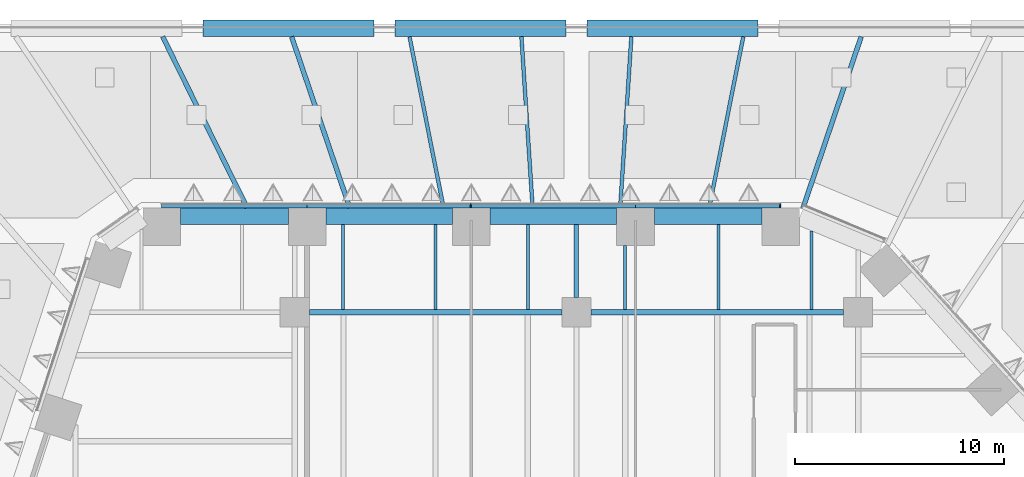
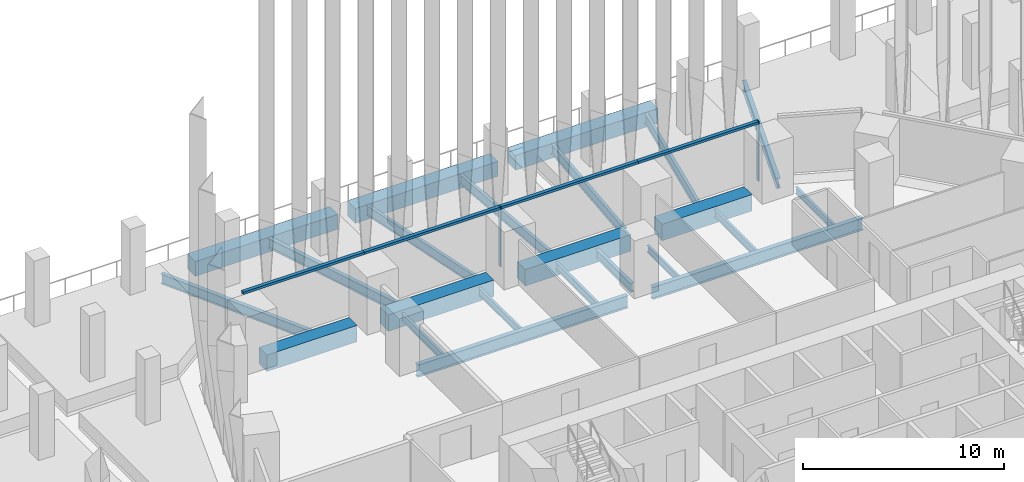
# One storey, part 19 of 51: 23 beams, 6 members, 1 element without a shape of its own.
"""IFC4 building model written with IfcOpenShell, lengths in metres."""

from ifc_helpers import new_model, si_unit, direction, frame, origin, origin_2d, place, context, subcontext, project, spatial, rectangle, i_section, extrude, material, layer, layer_set, material_profile, profile_set, type_object, element, aggregate, save


model = new_model("IFC4")

# Units and contexts
model_context = context("Model", 3, precision=1e-05, world=origin(), true_north=direction((0.0, 1.0)))
body_context = subcontext(model_context, "Body", "Model", "MODEL_VIEW")
ifc_project = project(units=[si_unit("LENGTHUNIT", "METRE"), si_unit("AREAUNIT", "SQUARE_METRE"), si_unit("VOLUMEUNIT", "CUBIC_METRE"), si_unit("PLANEANGLEUNIT", "RADIAN"), si_unit("MASSUNIT", "GRAM", prefix="KILO")], contexts=[model_context])

# Site, building, storey
site_placement = place(None, origin())
site = spatial("IfcSite", under=ifc_project, at=site_placement, CompositionType="ELEMENT")
building_placement = place(site_placement, origin())
building = spatial("IfcBuilding", under=site, at=building_placement, Name="Isthmus Gate Tower", CompositionType="ELEMENT")
storey_placement = place(building_placement, frame((0.0, 0.0, 36.0)))
storey = spatial("IfcBuildingStorey", under=building, at=storey_placement, Name="L06", CompositionType="ELEMENT", Elevation=36.0)

# Curtain wall, members
ifc_material_1 = material(Name="Aluminium, pale champagne anodised", Category="aluminium")
ifc_layer = layer(ifc_material_1, 0.199951171875)
ifc_layer_set = layer_set([ifc_layer], Name="CW-1 UNITISED CURTAIN WALL 200 DEEP")
curtain_wall_type = type_object("IfcCurtainWallType", Name="CW-1 UNITISED CURTAIN WALL 200 DEEP", PredefinedType="NOTDEFINED", material=ifc_layer_set)
curtain_wall_placement = place(storey_placement, origin())
curtain_wall = element("IfcCurtainWall", 1, at=curtain_wall_placement, inside=storey, type_object=curtain_wall_type, Name="CW-1 N L06", PredefinedType="NOTDEFINED")
ifc_material_2 = material(Name="Aluminium, pale champagne anodised", Category="aluminium")
ifc_material_profile_1 = material_profile(ifc_material_2, rectangle(XDim=0.06005859375, YDim=0.199951171875, at=origin_2d()), Name="60x200")
ifc_profile_set_1 = profile_set([ifc_material_profile_1], Name="Aluminium, pale champagne anodised")
member_type_1 = type_object("IfcMemberType", Name="CW-1 MULLION 60 X 200", PredefinedType="MULLION", material=ifc_profile_set_1)
member_1_placement = place(storey_placement, frame((9.77197265625, 32.10009765625, 0.0), z_axis=(0.0, 0.0, 1.0), x_axis=(-1.0, 0.0, 0.0)))
member_1 = element("IfcMember", 2, at=member_1_placement, type_object=member_type_1, Name="CW-1 mullion", PredefinedType="MULLION", context=body_context, shape_type="SweptSolid", body=[
    extrude(rectangle(XDim=0.06005859375, YDim=0.199951171875, at=origin_2d()), origin(), (0.0, 0.0, 1.0), 3.64990234375),
])
member_2_placement = place(storey_placement, frame((-5.067138671875, 32.10009765625, 0.0), z_axis=(0.0, 0.0, 1.0), x_axis=(-1.0, 0.0, 0.0)))
member_2 = element("IfcMember", 3, at=member_2_placement, type_object=member_type_1, Name="CW-1 mullion", PredefinedType="MULLION", context=body_context, shape_type="SweptSolid", body=[
    extrude(rectangle(XDim=0.06005859375, YDim=0.199951171875, at=origin_2d()), origin(), (0.0, 0.0, 1.0), 3.64990234375),
])
ifc_material_3 = material(Name="Aluminium, pale champagne anodised", Category="aluminium")
ifc_material_profile_2 = material_profile(ifc_material_3, rectangle(XDim=0.199951171875, YDim=0.14990234375, at=origin_2d()), Name="200x150")
ifc_profile_set_2 = profile_set([ifc_material_profile_2], Name="Aluminium, pale champagne anodised")
member_type_2 = type_object("IfcMemberType", Name="CW-1 TRANSOM 200 X 150", PredefinedType="USERDEFINED", material=ifc_profile_set_2)
member_3_placement = place(storey_placement, frame((9.741943359375, 32.10009765625, 3.574951171875), z_axis=(-1.0, 0.0, 0.0), x_axis=(0.0, -1.0, 0.0)))
member_3 = element("IfcMember", 4, at=member_3_placement, type_object=member_type_2, Name="CW-1 transom", ObjectType="TRANSOM", PredefinedType="USERDEFINED", context=body_context, shape_type="SweptSolid", body=[
    extrude(rectangle(XDim=0.199951171875, YDim=0.14990234375, at=origin_2d()), origin(), (0.0, 0.0, 1.0), 6.90966796875),
])
member_4_placement = place(storey_placement, frame((2.832275390625, 32.10009765625, 3.574951171875), z_axis=(-1.0, 0.0, 0.0), x_axis=(0.0, -1.0, 0.0)))
member_4 = element("IfcMember", 5, at=member_4_placement, type_object=member_type_2, Name="CW-1 transom", ObjectType="TRANSOM", PredefinedType="USERDEFINED", context=body_context, shape_type="SweptSolid", body=[
    extrude(rectangle(XDim=0.199951171875, YDim=0.14990234375, at=origin_2d()), origin(), (0.0, 0.0, 1.0), 7.869384765625),
])
member_5_placement = place(storey_placement, frame((-5.09716796875, 32.10009765625, 3.574951171875), z_axis=(-1.0, 0.0, 0.0), x_axis=(0.0, -1.0, 0.0)))
member_5 = element("IfcMember", 6, at=member_5_placement, type_object=member_type_2, Name="CW-1 transom", ObjectType="TRANSOM", PredefinedType="USERDEFINED", context=body_context, shape_type="SweptSolid", body=[
    extrude(rectangle(XDim=0.199951171875, YDim=0.14990234375, at=origin_2d()), origin(), (0.0, 0.0, 1.0), 7.8095703125),
])
member_6_placement = place(storey_placement, frame((-12.90673828125, 32.10009765625, 3.574951171875), z_axis=(-1.0, 0.0, 0.0), x_axis=(0.0, -1.0, 0.0)))
member_6 = element("IfcMember", 7, at=member_6_placement, type_object=member_type_2, Name="CW-1 transom", ObjectType="TRANSOM", PredefinedType="USERDEFINED", context=body_context, shape_type="SweptSolid", body=[
    extrude(rectangle(XDim=0.199951171875, YDim=0.14990234375, at=origin_2d()), origin(), (0.0, 0.0, 1.0), 6.969482421875),
])
aggregate(curtain_wall, [member_1, member_3, member_4, member_2, member_5, member_6])

# Beams
ifc_material_4 = material(Name="Concrete f'c 70 MPa", Category="concrete")
ifc_material_profile_3 = material_profile(ifc_material_4, rectangle(XDim=0.800048828125, YDim=0.89990234375, at=origin_2d()), Name="RC 800X900")
ifc_profile_set_3 = profile_set([ifc_material_profile_3], Name="Concrete f'c 70 MPa")
beam_type_1 = type_object("IfcBeamType", Name="RC EDGE BEAM 800 X 900", PredefinedType="BEAM", material=ifc_profile_set_3)
for number, where, z_axis, x_axis, name in (
    (8, (-17.89990234375, 40.60009765625, -0.60009765625), (1.0, 0.0, 0.0), (0.0, 1.0, 0.0), "str-edgebeam-L06-12"),
    (9, (-8.699951171875, 40.60009765625, -0.60009765625), (1.0, 0.0, 0.0), (0.0, 1.0, 0.0), "str-edgebeam-L06-13"),
    (10, (0.5, 40.60009765625, -0.60009765625), (1.0, 0.0, 0.0), (0.0, 1.0, 0.0), "str-edgebeam-L06-14"),
):
    element("IfcBeam", number, at=place(storey_placement, frame(where, z_axis=z_axis, x_axis=x_axis)), inside=storey, type_object=beam_type_1, Name=name, PredefinedType="BEAM", context=body_context, shape_type="SweptSolid", body=[
        extrude(rectangle(XDim=0.800048828125, YDim=0.89990234375, at=origin_2d()), origin(), (0.0, 0.0, 1.0), 8.199951171875),
    ])
ifc_material_5 = material(Name="Concrete f'c 70 MPa", Category="concrete")
ifc_material_profile_4 = material_profile(ifc_material_5, rectangle(XDim=0.800048828125, YDim=1.0, at=origin_2d()), Name="RC 800X1000")
ifc_profile_set_4 = profile_set([ifc_material_profile_4], Name="Concrete f'c 70 MPa")
beam_type_2 = type_object("IfcBeamType", Name="RC SPANDREL 800 X 1000", PredefinedType="SPANDREL", material=ifc_profile_set_4)
beam_1_placement = place(storey_placement, frame((-18.976318359375, 31.60009765625, -0.5), z_axis=(1.0, 0.0, 0.0), x_axis=(0.0, 1.0, 0.0)))
element("IfcBeam", 11, at=beam_1_placement, inside=storey, type_object=beam_type_2, Name="str-spandrel-L06-23", PredefinedType="SPANDREL", context=body_context, shape_type="SweptSolid", body=[
    extrude(rectangle(XDim=0.800048828125, YDim=1.0, at=origin_2d()), origin(), (0.0, 0.0, 1.0), 5.169677734375),
])
beam_2_placement = place(storey_placement, frame((-12.006591796875, 31.60009765625, -0.5), z_axis=(1.0, 0.0, 0.0), x_axis=(0.0, 1.0, 0.0)))
element("IfcBeam", 12, at=beam_2_placement, inside=storey, type_object=beam_type_2, Name="str-spandrel-L06-24", PredefinedType="SPANDREL", context=body_context, shape_type="SweptSolid", body=[
    extrude(rectangle(XDim=0.800048828125, YDim=1.0, at=origin_2d()), origin(), (0.0, 0.0, 1.0), 6.0693359375),
])
beam_3_placement = place(storey_placement, frame((-4.13720703125, 31.60009765625, -0.5), z_axis=(1.0, 0.0, 0.0), x_axis=(0.0, 1.0, 0.0)))
element("IfcBeam", 13, at=beam_3_placement, inside=storey, type_object=beam_type_2, Name="str-spandrel-L06-25", PredefinedType="SPANDREL", context=body_context, shape_type="SweptSolid", body=[
    extrude(rectangle(XDim=0.800048828125, YDim=1.0, at=origin_2d()), origin(), (0.0, 0.0, 1.0), 6.069580078125),
])
beam_4_placement = place(storey_placement, frame((3.732421875, 31.60009765625, -0.5), z_axis=(1.0, 0.0, 0.0), x_axis=(0.0, 1.0, 0.0)))
element("IfcBeam", 14, at=beam_4_placement, inside=storey, type_object=beam_type_2, Name="str-spandrel-L06-26", PredefinedType="SPANDREL", context=body_context, shape_type="SweptSolid", body=[
    extrude(rectangle(XDim=0.800048828125, YDim=1.0, at=origin_2d()), origin(), (0.0, 0.0, 1.0), 5.16943359375),
])
ifc_material_6 = material(Name="Structural steel ASTM A992 Gr 50", Category="steel")
ifc_material_profile_5 = material_profile(ifc_material_6, i_section(OverallWidth=0.1396484375, OverallDepth=0.4033203125, WebThickness=0.00634765625, FlangeThickness=0.010986328125, at=origin_2d()), Name="W16X31")
ifc_profile_set_5 = profile_set([ifc_material_profile_5], Name="Structural steel ASTM A992 Gr 50")
beam_type_3 = type_object("IfcBeamType", Name="STEEL FLOOR BEAM W16X31", PredefinedType="JOIST", material=ifc_profile_set_5)
beam_5_placement = place(storey_placement, frame((2.33740234375, 27.1318359375, -0.3515625), z_axis=(0.0, 1.0, 0.0), x_axis=(-1.0, 0.0, 0.0)))
element("IfcBeam", 15, at=beam_5_placement, inside=storey, type_object=beam_type_3, Name="str-beam-L06-19-00", PredefinedType="JOIST", context=body_context, shape_type="SweptSolid", body=[
    extrude(i_section(OverallWidth=0.1396484375, OverallDepth=0.4033203125, WebThickness=0.00634765625, FlangeThickness=0.010986328125, at=origin_2d()), origin(), (0.0, 0.0, 1.0), 3.068115234375),
])
beam_6_placement = place(storey_placement, frame((11.267578125, 27.1318359375, -0.3515625), z_axis=(0.0, 1.0, 0.0), x_axis=(-1.0, 0.0, 0.0)))
element("IfcBeam", 16, at=beam_6_placement, inside=storey, type_object=beam_type_3, Name="str-beam-L06-19-02", PredefinedType="JOIST", context=body_context, shape_type="SweptSolid", body=[
    extrude(i_section(OverallWidth=0.1396484375, OverallDepth=0.4033203125, WebThickness=0.00634765625, FlangeThickness=0.010986328125, at=origin_2d()), origin(), (0.0, 0.0, 1.0), 3.7666015625),
])
ifc_material_7 = material(Name="Structural steel ASTM A992 Gr 50", Category="steel")
ifc_material_profile_6 = material_profile(ifc_material_7, i_section(OverallWidth=0.15234375, OverallDepth=0.45068359375, WebThickness=0.0078125, FlangeThickness=0.010986328125, at=origin_2d()), Name="W18X35")
ifc_profile_set_6 = profile_set([ifc_material_profile_6], Name="Structural steel ASTM A992 Gr 50")
beam_type_4 = type_object("IfcBeamType", Name="STEEL FLOOR BEAM W18X35", PredefinedType="JOIST", material=ifc_profile_set_6)
for number, where, z_axis, x_axis, name in (
    (17, (-11.18017578125, 27.1318359375, -0.37548828125), (0.0, 1.0, 0.0), (-1.0, 0.0, 0.0), "str-beam-L06-14-00"),
    (18, (-6.75, 27.1318359375, -0.37548828125), (0.0, 1.0, 0.0), (-1.0, 0.0, 0.0), "str-beam-L06-14-01"),
    (19, (-2.31982421875, 27.1318359375, -0.37548828125), (0.0, 1.0, 0.0), (-1.0, 0.0, 0.0), "str-beam-L06-14-02"),
    (20, (6.802490234375, 27.1318359375, -0.37548828125), (0.0, 1.0, 0.0), (-1.0, 0.0, 0.0), "str-beam-L06-19-01"),
):
    element("IfcBeam", number, at=place(storey_placement, frame(where, z_axis=z_axis, x_axis=x_axis)), inside=storey, type_object=beam_type_4, Name=name, PredefinedType="JOIST", context=body_context, shape_type="SweptSolid", body=[
        extrude(i_section(OverallWidth=0.15234375, OverallDepth=0.45068359375, WebThickness=0.0078125, FlangeThickness=0.010986328125, at=origin_2d()), origin(), (0.0, 0.0, 1.0), 4.068115234375),
    ])
ifc_material_8 = material(Name="Structural steel ASTM A992 Gr 50", Category="steel")
ifc_material_profile_7 = material_profile(ifc_material_8, i_section(OverallWidth=0.20947265625, OverallDepth=0.533447265625, WebThickness=0.009521484375, FlangeThickness=0.015869140625, at=origin_2d()), Name="W21X62")
ifc_profile_set_7 = profile_set([ifc_material_profile_7], Name="Structural steel ASTM A992 Gr 50")
beam_type_5 = type_object("IfcBeamType", Name="STEEL GIRDER W21X62", PredefinedType="BEAM", material=ifc_profile_set_7)
beam_7_placement = place(storey_placement, frame((0.0, 27.699951171875, -0.416748046875), z_axis=(0.0, 1.0, 0.0), x_axis=(-1.0, 0.0, 0.0)))
element("IfcBeam", 21, at=beam_7_placement, inside=storey, type_object=beam_type_5, Name="str-girder-L06-30", PredefinedType="BEAM", context=body_context, shape_type="SweptSolid", body=[
    extrude(i_section(OverallWidth=0.20947265625, OverallDepth=0.533447265625, WebThickness=0.009521484375, FlangeThickness=0.015869140625, at=origin_2d()), origin(), (0.0, 0.0, 1.0), 3.5),
])
ifc_material_9 = material(Name="Structural steel ASTM A992 Gr 50", Category="steel")
ifc_material_profile_8 = material_profile(ifc_material_9, i_section(OverallWidth=0.263427734375, OverallDepth=0.749267578125, WebThickness=0.0126953125, FlangeThickness=0.015869140625, at=origin_2d()), Name="W30X90")
ifc_profile_set_8 = profile_set([ifc_material_profile_8], Name="Structural steel ASTM A992 Gr 50")
beam_type_6 = type_object("IfcBeamType", Name="STEEL GIRDER W30X90", PredefinedType="BEAM", material=ifc_profile_set_8)
for number, where, z_axis, x_axis, name in (
    (22, (-12.800048828125, 27.0, -0.524658203125), (1.0, 0.0, 0.0), (0.0, 1.0, 0.0), "str-girder-L06-17"),
    (23, (0.699951171875, 27.0, -0.524658203125), (1.0, 0.0, 0.0), (0.0, 1.0, 0.0), "str-girder-L06-18"),
):
    element("IfcBeam", number, at=place(storey_placement, frame(where, z_axis=z_axis, x_axis=x_axis)), inside=storey, type_object=beam_type_6, Name=name, PredefinedType="BEAM", context=body_context, shape_type="SweptSolid", body=[
        extrude(i_section(OverallWidth=0.263427734375, OverallDepth=0.749267578125, WebThickness=0.0126953125, FlangeThickness=0.015869140625, at=origin_2d()), origin(), (0.0, 0.0, 1.0), 12.10009765625),
    ])
ifc_material_10 = material(Name="Structural steel ASTM A992 Gr 50", Category="steel")
ifc_material_profile_9 = material_profile(ifc_material_10, i_section(OverallWidth=0.177734375, OverallDepth=0.60009765625, WebThickness=0.009521484375, FlangeThickness=0.0126953125, at=origin_2d()), Name="W24X55")
ifc_profile_set_9 = profile_set([ifc_material_profile_9], Name="Structural steel ASTM A992 Gr 50")
beam_type_7 = type_object("IfcBeamType", Name="STEEL LEDGE BEAM W24X55", PredefinedType="JOIST", material=ifc_profile_set_9)
beam_8_placement = place(storey_placement, frame((6.365234375, 32.0, -0.449951171875), z_axis=(0.195093982602, 0.98078455226, 0.0), x_axis=(-0.98078455226, 0.195093982602, 0.0)))
element("IfcBeam", 24, at=beam_8_placement, inside=storey, type_object=beam_type_7, Name="str-ringbeam-L06-00-10", PredefinedType="JOIST", context=body_context, shape_type="SweptSolid", body=[
    extrude(i_section(OverallWidth=0.177734375, OverallDepth=0.60009765625, WebThickness=0.009521484375, FlangeThickness=0.0126953125, at=origin_2d()), origin(), (0.0, 0.0, 1.0), 8.360595703125),
])
for number, where, z_axis, x_axis, name in (
    (25, (2.097412109375, 32.0, -0.449951171875), (0.06539105107, 0.99785971481, 0.0), (-0.99785971481, 0.06539105107, 0.0), "str-ringbeam-L06-00-11"),
    (26, (-2.097412109375, 32.0, -0.449951171875), (-0.06539105107, 0.99785971481, 0.0), (-0.99785971481, -0.06539105107, 0.0), "str-ringbeam-L06-00-12"),
):
    element("IfcBeam", number, at=place(storey_placement, frame(where, z_axis=z_axis, x_axis=x_axis)), inside=storey, type_object=beam_type_7, Name=name, PredefinedType="JOIST", context=body_context, shape_type="SweptSolid", body=[
        extrude(i_section(OverallWidth=0.177734375, OverallDepth=0.60009765625, WebThickness=0.009521484375, FlangeThickness=0.0126953125, at=origin_2d()), origin(), (0.0, 0.0, 1.0), 8.217529296875),
    ])
beam_9_placement = place(storey_placement, frame((-6.365234375, 32.0, -0.449951171875), z_axis=(-0.195093982602, 0.98078455226, 0.0), x_axis=(-0.98078455226, -0.195093982602, 0.0)))
element("IfcBeam", 27, at=beam_9_placement, inside=storey, type_object=beam_type_7, Name="str-ringbeam-L06-00-13", PredefinedType="JOIST", context=body_context, shape_type="SweptSolid", body=[
    extrude(i_section(OverallWidth=0.177734375, OverallDepth=0.60009765625, WebThickness=0.009521484375, FlangeThickness=0.0126953125, at=origin_2d()), origin(), (0.0, 0.0, 1.0), 8.360595703125),
])
ifc_material_11 = material(Name="Structural steel ASTM A992 Gr 50", Category="steel")
ifc_material_profile_10 = material_profile(ifc_material_11, i_section(OverallWidth=0.228515625, OverallDepth=0.603271484375, WebThickness=0.010986328125, FlangeThickness=0.014404296875, at=origin_2d()), Name="W24X68")
ifc_profile_set_10 = profile_set([ifc_material_profile_10], Name="Structural steel ASTM A992 Gr 50")
beam_type_8 = type_object("IfcBeamType", Name="STEEL LEDGE BEAM W24X68", PredefinedType="JOIST", material=ifc_profile_set_10)
beam_10_placement = place(storey_placement, frame((10.8427734375, 31.94140625, -0.45166015625), z_axis=(0.321421412152, 0.946936257522, 0.0), x_axis=(-0.946936257522, 0.321421412152, 0.0)))
element("IfcBeam", 28, at=beam_10_placement, inside=storey, type_object=beam_type_8, Name="str-ringbeam-L06-00-09", PredefinedType="JOIST", context=body_context, shape_type="SweptSolid", body=[
    extrude(i_section(OverallWidth=0.228515625, OverallDepth=0.603271484375, WebThickness=0.010986328125, FlangeThickness=0.014404296875, at=origin_2d()), origin(), (0.0, 0.0, 1.0), 8.721435546875),
])
beam_11_placement = place(storey_placement, frame((-10.862548828125, 32.0, -0.45166015625), z_axis=(-0.321433140336, 0.946932276509, 0.0), x_axis=(-0.946932276509, -0.321433140336, 0.0)))
element("IfcBeam", 29, at=beam_11_placement, inside=storey, type_object=beam_type_8, Name="str-ringbeam-L06-00-14", PredefinedType="JOIST", context=body_context, shape_type="SweptSolid", body=[
    extrude(i_section(OverallWidth=0.228515625, OverallDepth=0.603271484375, WebThickness=0.010986328125, FlangeThickness=0.014404296875, at=origin_2d()), origin(), (0.0, 0.0, 1.0), 8.659423828125),
])
beam_12_placement = place(storey_placement, frame((-15.78076171875, 32.0, -0.45166015625), z_axis=(-0.442282774257, 0.896875658938, 0.0), x_axis=(-0.896875658938, -0.442282774257, 0.0)))
element("IfcBeam", 30, at=beam_12_placement, inside=storey, type_object=beam_type_8, Name="str-ringbeam-L06-00-15", PredefinedType="JOIST", context=body_context, shape_type="SweptSolid", body=[
    extrude(i_section(OverallWidth=0.228515625, OverallDepth=0.603271484375, WebThickness=0.010986328125, FlangeThickness=0.014404296875, at=origin_2d()), origin(), (0.0, 0.0, 1.0), 9.142822265625),
])

save(model, "model.ifc")
